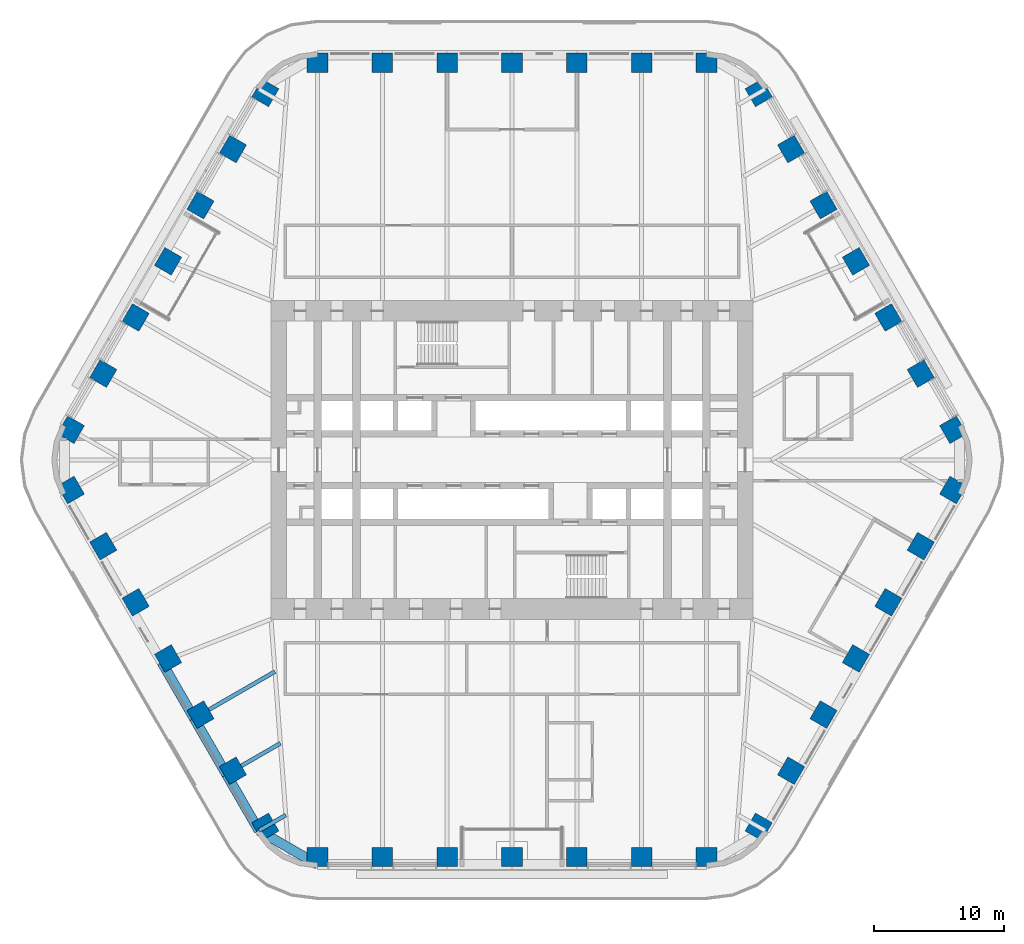
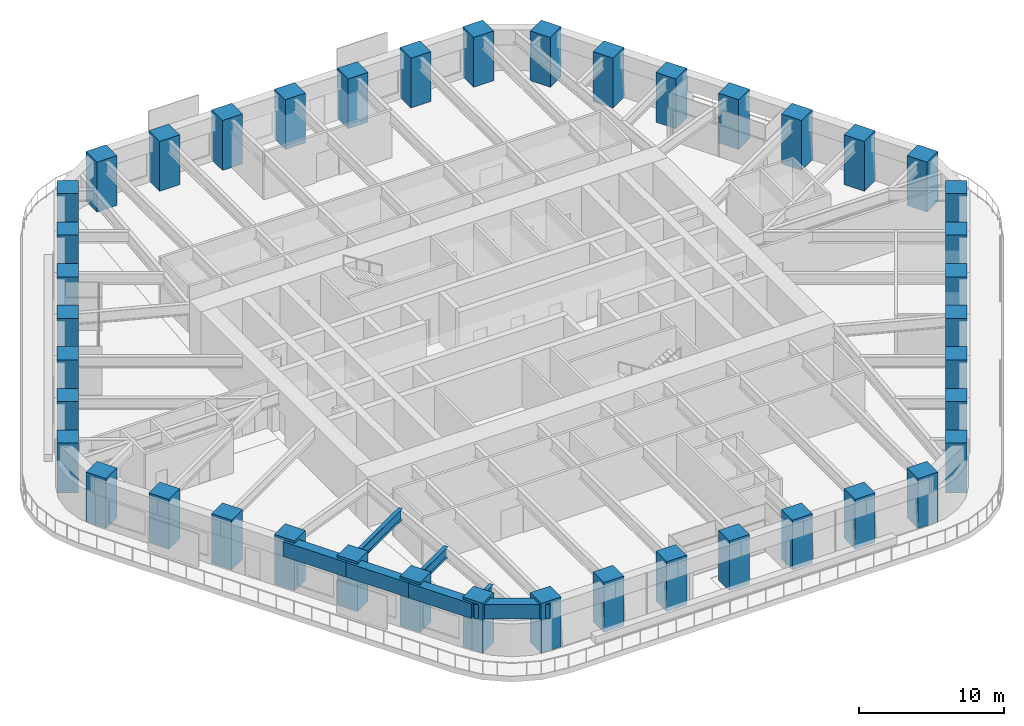
# One storey, part 1 of 24: 42 columns, 7 beams.
"""IFC4 building model written with IfcOpenShell, lengths in metres."""

from ifc_helpers import new_model, si_unit, direction, frame, origin, origin_2d, place, context, subcontext, project, spatial, rectangle, i_section, extrude, material, material_profile, profile_set, type_object, element, save


model = new_model("IFC4")

# Units and contexts
model_context = context("Model", 3, precision=1e-05, world=origin(), true_north=direction((0.0, 1.0)))
body_context = subcontext(model_context, "Body", "Model", "MODEL_VIEW")
ifc_project = project(units=[si_unit("LENGTHUNIT", "METRE"), si_unit("AREAUNIT", "SQUARE_METRE"), si_unit("VOLUMEUNIT", "CUBIC_METRE"), si_unit("PLANEANGLEUNIT", "RADIAN"), si_unit("MASSUNIT", "GRAM", prefix="KILO")], contexts=[model_context])

# Site, building, storey
site_placement = place(None, origin())
site = spatial("IfcSite", under=ifc_project, at=site_placement, CompositionType="ELEMENT")
building_placement = place(site_placement, origin())
building = spatial("IfcBuilding", under=site, at=building_placement, Name="Tarfa Lantern Tower", CompositionType="ELEMENT")
storey_placement = place(building_placement, frame((0.0, 0.0, 153.10009765625)))
storey = spatial("IfcBuildingStorey", under=building, at=storey_placement, Name="L34", CompositionType="ELEMENT", Elevation=153.10009765625)

# Columns
ifc_material_1 = material(Name="Concrete C80/95", Category="concrete")
ifc_material_profile_1 = material_profile(ifc_material_1, rectangle(XDim=1.60009765625, YDim=1.5, at=origin_2d()), Name="RC 1600x1500")
ifc_profile_set_1 = profile_set([ifc_material_profile_1], Name="Concrete C80/95")
column_type = type_object("IfcColumnType", Name="TC6 RC 1600x1500", PredefinedType="COLUMN", material=ifc_profile_set_1)
for number, where, z_axis, x_axis, name in (
    (1, (34.04931640625, 2.324951171875, 0.0), (0.0, 0.0, 1.0), (-0.5, 0.866025403784, 0.0), "Tube column NE0"),
    (2, (31.54736328125, 6.658447265625, 0.0), (0.0, 0.0, 1.0), (-0.5, 0.866025403784, 0.0), "Tube column NE1"),
    (3, (29.04541015625, 10.99169921875, 0.0), (0.0, 0.0, 1.0), (-0.5, 0.866025403784, 0.0), "Tube column NE2"),
    (4, (26.543701171875, 15.324951171875, 0.0), (0.0, 0.0, 1.0), (-0.5, 0.866025403784, 0.0), "Tube column NE3"),
    (5, (24.041748046875, 19.658447265625, 0.0), (0.0, 0.0, 1.0), (-0.5, 0.866025403784, 0.0), "Tube column NE4"),
    (6, (21.5400390625, 23.99169921875, 0.0), (0.0, 0.0, 1.0), (-0.5, 0.866025403784, 0.0), "Tube column NE5"),
    (7, (19.0380859375, 28.324951171875, 0.0), (0.0, 0.0, 1.0), (-0.5, 0.866025403784, 0.0), "Tube column NE6"),
    (8, (15.010986328125, 30.64990234375, 0.0), (0.0, 0.0, 1.0), (-1.0, 0.0, 0.0), "Tube column N0"),
    (9, (10.00732421875, 30.64990234375, 0.0), (0.0, 0.0, 1.0), (-1.0, 0.0, 0.0), "Tube column N1"),
    (10, (5.003662109375, 30.64990234375, 0.0), (0.0, 0.0, 1.0), (-1.0, 0.0, 0.0), "Tube column N2"),
    (11, (0.0, 30.64990234375, 0.0), (0.0, 0.0, 1.0), (-1.0, 0.0, 0.0), "Tube column N3"),
    (12, (-5.003662109375, 30.64990234375, 0.0), (0.0, 0.0, 1.0), (-1.0, 0.0, 0.0), "Tube column N4"),
    (13, (-10.00732421875, 30.64990234375, 0.0), (0.0, 0.0, 1.0), (-1.0, 0.0, 0.0), "Tube column N5"),
    (14, (-15.010986328125, 30.64990234375, 0.0), (0.0, 0.0, 1.0), (-1.0, 0.0, 0.0), "Tube column N6"),
    (15, (-19.0380859375, 28.324951171875, 0.0), (0.0, 0.0, 1.0), (-0.5, -0.866025403784, 0.0), "Tube column NW0"),
    (16, (-21.5400390625, 23.99169921875, 0.0), (0.0, 0.0, 1.0), (-0.5, -0.866025403784, 0.0), "Tube column NW1"),
    (17, (-24.041748046875, 19.658447265625, 0.0), (0.0, 0.0, 1.0), (-0.5, -0.866025403784, 0.0), "Tube column NW2"),
    (18, (-26.543701171875, 15.324951171875, 0.0), (0.0, 0.0, 1.0), (-0.5, -0.866025403784, 0.0), "Tube column NW3"),
    (19, (-29.04541015625, 10.99169921875, 0.0), (0.0, 0.0, 1.0), (-0.5, -0.866025403784, 0.0), "Tube column NW4"),
    (20, (-31.54736328125, 6.658447265625, 0.0), (0.0, 0.0, 1.0), (-0.5, -0.866025403784, 0.0), "Tube column NW5"),
    (21, (-34.04931640625, 2.324951171875, 0.0), (0.0, 0.0, 1.0), (-0.5, -0.866025403784, 0.0), "Tube column NW6"),
    (22, (-34.04931640625, -2.324951171875, 0.0), (0.0, 0.0, 1.0), (0.5, -0.866025403784, 0.0), "Tube column SW0"),
    (23, (-31.54736328125, -6.658447265625, 0.0), (0.0, 0.0, 1.0), (0.5, -0.866025403784, 0.0), "Tube column SW1"),
    (24, (-29.04541015625, -10.99169921875, 0.0), (0.0, 0.0, 1.0), (0.5, -0.866025403784, 0.0), "Tube column SW2"),
    (25, (-26.543701171875, -15.324951171875, 0.0), (0.0, 0.0, 1.0), (0.5, -0.866025403784, 0.0), "Tube column SW3"),
    (26, (-24.041748046875, -19.658447265625, 0.0), (0.0, 0.0, 1.0), (0.5, -0.866025403784, 0.0), "Tube column SW4"),
    (27, (-21.5400390625, -23.99169921875, 0.0), (0.0, 0.0, 1.0), (0.5, -0.866025403784, 0.0), "Tube column SW5"),
    (28, (-19.0380859375, -28.324951171875, 0.0), (0.0, 0.0, 1.0), (0.5, -0.866025403784, 0.0), "Tube column SW6"),
    (29, (-15.010986328125, -30.64990234375, 0.0), (0.0, 0.0, 1.0), (1.0, 0.0, 0.0), "Tube column S0"),
    (30, (-10.00732421875, -30.64990234375, 0.0), (0.0, 0.0, 1.0), (1.0, 0.0, 0.0), "Tube column S1"),
    (31, (-5.003662109375, -30.64990234375, 0.0), (0.0, 0.0, 1.0), (1.0, 0.0, 0.0), "Tube column S2"),
    (32, (0.0, -30.64990234375, 0.0), (0.0, 0.0, 1.0), (1.0, 0.0, 0.0), "Tube column S3"),
    (33, (5.003662109375, -30.64990234375, 0.0), (0.0, 0.0, 1.0), (1.0, 0.0, 0.0), "Tube column S4"),
    (34, (10.00732421875, -30.64990234375, 0.0), (0.0, 0.0, 1.0), (1.0, 0.0, 0.0), "Tube column S5"),
    (35, (15.010986328125, -30.64990234375, 0.0), (0.0, 0.0, 1.0), (1.0, 0.0, 0.0), "Tube column S6"),
    (36, (19.0380859375, -28.324951171875, 0.0), (0.0, 0.0, 1.0), (0.5, 0.866025403784, 0.0), "Tube column SE0"),
    (37, (21.5400390625, -23.99169921875, 0.0), (0.0, 0.0, 1.0), (0.5, 0.866025403784, 0.0), "Tube column SE1"),
    (38, (24.041748046875, -19.658447265625, 0.0), (0.0, 0.0, 1.0), (0.5, 0.866025403784, 0.0), "Tube column SE2"),
    (39, (26.543701171875, -15.324951171875, 0.0), (0.0, 0.0, 1.0), (0.5, 0.866025403784, 0.0), "Tube column SE3"),
    (40, (29.04541015625, -10.99169921875, 0.0), (0.0, 0.0, 1.0), (0.5, 0.866025403784, 0.0), "Tube column SE4"),
    (41, (31.54736328125, -6.658447265625, 0.0), (0.0, 0.0, 1.0), (0.5, 0.866025403784, 0.0), "Tube column SE5"),
    (42, (34.04931640625, -2.324951171875, 0.0), (0.0, 0.0, 1.0), (0.5, 0.866025403784, 0.0), "Tube column SE6"),
):
    element("IfcColumn", number, at=place(storey_placement, frame(where, z_axis=z_axis, x_axis=x_axis)), inside=storey, type_object=column_type, Name=name, PredefinedType="COLUMN", context=body_context, shape_type="SweptSolid", body=[
        extrude(rectangle(XDim=1.60009765625, YDim=1.5, at=origin_2d()), origin(), (0.0, 0.0, 1.0), 4.199951171875),
    ])

# Beams
ifc_material_profile_2 = material_profile(ifc_material_1, rectangle(XDim=0.75, YDim=1.25, at=origin_2d()), Name="RC 750x1250")
ifc_profile_set_2 = profile_set([ifc_material_profile_2], Name="Concrete C80/95")
beam_type_1 = type_object("IfcBeamType", Name="EB2 RC 750x1250", PredefinedType="SPANDREL", material=ifc_profile_set_2)
for number, where, z_axis, x_axis, name in (
    (43, (-27.037353515625, -15.610107421875, 3.375), (0.500022324899, -0.866012514114, 0.0), (0.866012514114, 0.500022324899, 0.0), "Edge beam SW3"),
    (44, (-24.535400390625, -19.943359375, 3.375), (0.49998573051, -0.866033642122, 0.0), (0.866033642122, 0.49998573051, 0.0), "Edge beam SW4"),
):
    element("IfcBeam", number, at=place(storey_placement, frame(where, z_axis=z_axis, x_axis=x_axis)), inside=storey, type_object=beam_type_1, Name=name, PredefinedType="SPANDREL", context=body_context, shape_type="SweptSolid", body=[
        extrude(rectangle(XDim=0.75, YDim=1.25, at=origin_2d()), origin(), (0.0, 0.0, 1.0), 5.003662109375),
    ])
beam_1_placement = place(storey_placement, frame((-22.03369140625, -24.276611328125, 3.375), z_axis=(0.500001197378, -0.866024712477, 0.0), x_axis=(0.866024712477, 0.500001197378, 0.0)))
element("IfcBeam", 45, at=beam_1_placement, inside=storey, type_object=beam_type_1, Name="Edge beam SW5", PredefinedType="SPANDREL", context=body_context, shape_type="SweptSolid", body=[
    extrude(rectangle(XDim=0.75, YDim=1.25, at=origin_2d()), origin(), (0.0, 0.0, 1.0), 5.00390625),
])
beam_2_placement = place(storey_placement, frame((-19.53173828125, -28.610107421875, 3.375), z_axis=(0.86604150238, -0.499972115377, 0.0), x_axis=(0.499972115377, 0.86604150238, 0.0)))
element("IfcBeam", 46, at=beam_2_placement, inside=storey, type_object=beam_type_1, Name="Edge beam SW6", PredefinedType="SPANDREL", context=body_context, shape_type="SweptSolid", body=[
    extrude(rectangle(XDim=0.75, YDim=1.25, at=origin_2d()), origin(), (0.0, 0.0, 1.0), 5.219970703125),
])
ifc_material_2 = material(Name="Steel S460M", Category="steel")
ifc_material_profile_3 = material_profile(ifc_material_2, i_section(OverallWidth=0.305419921875, OverallDepth=0.91845703125, WebThickness=0.017333984375, FlangeThickness=0.02783203125, FilletRadius=0.01904296875, at=origin_2d()), Name="UB914x305x253")
ifc_profile_set_3 = profile_set([ifc_material_profile_3], Name="Steel S460M")
beam_type_2 = type_object("IfcBeamType", Name="UB914x305x253", PredefinedType="BEAM", material=ifc_profile_set_3)
beam_3_placement = place(storey_placement, frame((-24.535400390625, -19.943359375, 3.540771484375), z_axis=(0.86602647304, 0.499998147991, 0.0), x_axis=(-0.499998147991, 0.86602647304, 0.0)))
element("IfcBeam", 47, at=beam_3_placement, inside=storey, type_object=beam_type_2, Name="Floor beam SW4", PredefinedType="BEAM", context=body_context, shape_type="SweptSolid", body=[
    extrude(i_section(OverallWidth=0.305419921875, OverallDepth=0.91845703125, WebThickness=0.017333984375, FlangeThickness=0.02783203125, FilletRadius=0.01904296875, at=origin_2d()), origin(), (0.0, 0.0, 1.0), 7.20556640625),
])
beam_4_placement = place(storey_placement, frame((-22.03369140625, -24.276611328125, 3.540771484375), z_axis=(0.866030550462, 0.499991085587, 0.0), x_axis=(-0.499991085587, 0.866030550462, 0.0)))
element("IfcBeam", 48, at=beam_4_placement, inside=storey, type_object=beam_type_2, Name="Floor beam SW5", PredefinedType="BEAM", context=body_context, shape_type="SweptSolid", body=[
    extrude(i_section(OverallWidth=0.305419921875, OverallDepth=0.91845703125, WebThickness=0.017333984375, FlangeThickness=0.02783203125, FilletRadius=0.01904296875, at=origin_2d()), origin(), (0.0, 0.0, 1.0), 4.798828125),
])
beam_5_placement = place(storey_placement, frame((-19.53173828125, -28.610107421875, 3.540771484375), z_axis=(0.865998640954, 0.500046351717, 0.0), x_axis=(-0.500046351717, 0.865998640954, 0.0)))
element("IfcBeam", 49, at=beam_5_placement, inside=storey, type_object=beam_type_2, Name="Floor beam SW6", PredefinedType="BEAM", context=body_context, shape_type="SweptSolid", body=[
    extrude(i_section(OverallWidth=0.305419921875, OverallDepth=0.91845703125, WebThickness=0.017333984375, FlangeThickness=0.02783203125, FilletRadius=0.01904296875, at=origin_2d()), origin(), (0.0, 0.0, 1.0), 2.392333984375),
])

save(model, "model.ifc")
